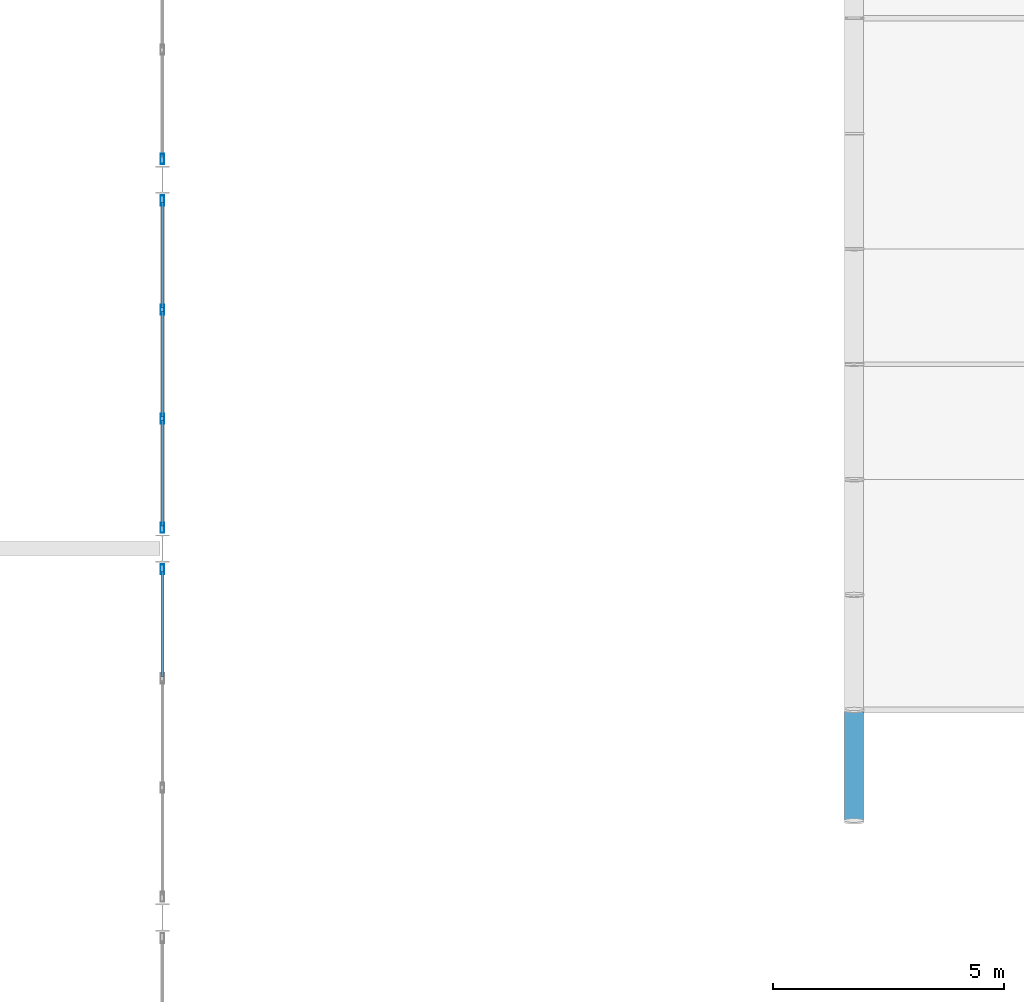
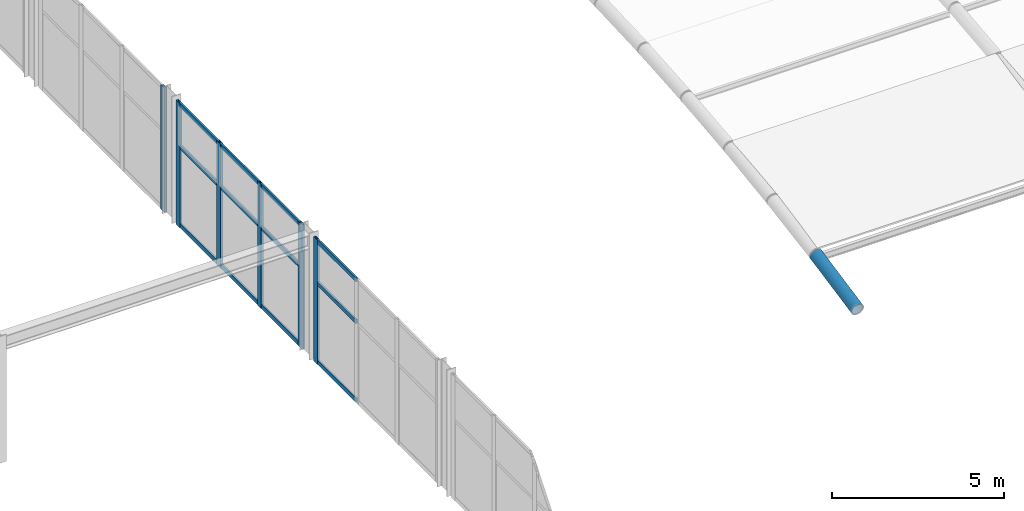
# One storey, part 41 of 105: 19 members, 3 elements without a shape of their own.
"""IFC4 building model written with IfcOpenShell, lengths in metres."""

from ifc_helpers import new_model, si_unit, direction, frame, origin, origin_2d, place, context, subcontext, project, spatial, hollow_rectangle, hollow_circle, extrude, material, layer, layer_set, material_profile, profile_set, type_object, element, aggregate, save


model = new_model("IFC4")

# Units and contexts
model_context = context("Model", 3, precision=1e-05, world=origin(), true_north=direction((0.0, 1.0)))
body_context = subcontext(model_context, "Body", "Model", "MODEL_VIEW")
ifc_project = project(units=[si_unit("LENGTHUNIT", "METRE"), si_unit("AREAUNIT", "SQUARE_METRE"), si_unit("VOLUMEUNIT", "CUBIC_METRE"), si_unit("PLANEANGLEUNIT", "RADIAN"), si_unit("MASSUNIT", "GRAM", prefix="KILO")], contexts=[model_context])

# Site, building, storey
site_placement = place(None, origin())
site = spatial("IfcSite", under=ifc_project, at=site_placement, CompositionType="ELEMENT")
building_placement = place(site_placement, origin())
building = spatial("IfcBuilding", under=site, at=building_placement, Name="Marlcrest Central Station", CompositionType="ELEMENT")
storey_placement = place(building_placement, frame((0.0, 0.0, 15.0)))
storey = spatial("IfcBuildingStorey", under=building, at=storey_placement, Name="L03", CompositionType="ELEMENT", Elevation=15.0)

# Member
ifc_material_1 = material(Name="Steel S355", Category="steel")
ifc_material_profile_1 = material_profile(ifc_material_1, hollow_circle(Radius=0.203125, WallThickness=0.02001953125, at=origin_2d()), Name="CHS 406.4x20")
ifc_profile_set_1 = profile_set([ifc_material_profile_1], Name="Steel S355")
member_type_1 = type_object("IfcMemberType", Name="AC-01", PredefinedType="CHORD", material=ifc_profile_set_1)
member_1_placement = place(storey_placement, frame((144.0, 48.580078125, -0.0830078125), z_axis=(0.0, 0.980359417961, 0.197219196874), x_axis=(-1.0, 0.0, 0.0)))
element("IfcMember", 1, at=member_1_placement, inside=storey, type_object=member_type_1, Name="mem-AC-01-L03-01112", PredefinedType="CHORD", context=body_context, shape_type="SweptSolid", body=[
    extrude(hollow_circle(Radius=0.203125, WallThickness=0.02001953125, at=origin_2d()), origin(), (0.0, 0.0, 1.0), 2.468505859375),
])

# Curtain wall, member
ifc_material_2 = material(Name="Anodised aluminium and hurricane laminated glass", Category="aluminium")
ifc_layer = layer(ifc_material_2, 0.219970703125, Name="CW-U1")
ifc_layer_set = layer_set([ifc_layer], Name="Anodised aluminium and hurricane laminated glass")
curtain_wall_type = type_object("IfcCurtainWallType", Name="CW-U1", PredefinedType="USERDEFINED", material=ifc_layer_set)
curtain_wall_1_placement = place(storey_placement, origin())
curtain_wall_1 = element("IfcCurtainWall", 2, at=curtain_wall_1_placement, inside=storey, type_object=curtain_wall_type, Name="cw-L03-0114", ObjectType="UNITISED_CURTAIN_WALL", PredefinedType="USERDEFINED")
ifc_material_3 = material(Name="Anodised aluminium 6063-T6", Category="aluminium")
ifc_material_profile_2 = material_profile(ifc_material_3, hollow_rectangle(XDim=0.080078125, YDim=0.219970703125, WallThickness=0.006103515625, at=origin_2d()), Name="AA-RHS 220x80x6")
ifc_profile_set_2 = profile_set([ifc_material_profile_2], Name="Anodised aluminium 6063-T6")
member_type_2 = type_object("IfcMemberType", Name="ML-01", PredefinedType="MULLION", material=ifc_profile_set_2)
member_2_placement = place(storey_placement, frame((129.0, 54.050048828125, -0.030029296875), z_axis=(0.0, 0.0, 1.0), x_axis=(1.0, 0.0, 0.0)))
member_2 = element("IfcMember", 3, at=member_2_placement, type_object=member_type_2, Name="cw-L03-0114-ml-0", PredefinedType="MULLION", context=body_context, shape_type="SweptSolid", body=[
    extrude(hollow_rectangle(XDim=0.080078125, YDim=0.219970703125, WallThickness=0.006103515625, at=origin_2d()), origin(), (0.0, 0.0, 1.0), 4.409912109375),
])

# Curtain wall, members
curtain_wall_2_placement = place(storey_placement, origin())
curtain_wall_2 = element("IfcCurtainWall", 4, at=curtain_wall_2_placement, inside=storey, type_object=curtain_wall_type, Name="cw-L03-0118", ObjectType="UNITISED_CURTAIN_WALL", PredefinedType="USERDEFINED")
member_3_placement = place(storey_placement, frame((129.0, 62.050048828125, -0.030029296875), z_axis=(0.0, 0.0, 1.0), x_axis=(1.0, 0.0, 0.0)))
member_3 = element("IfcMember", 5, at=member_3_placement, type_object=member_type_2, Name="cw-L03-0118-ml-0", PredefinedType="MULLION", context=body_context, shape_type="SweptSolid", body=[
    extrude(hollow_rectangle(XDim=0.080078125, YDim=0.219970703125, WallThickness=0.006103515625, at=origin_2d()), origin(), (0.0, 0.0, 1.0), 4.409912109375),
])
member_4_placement = place(storey_placement, frame((129.0, 59.683349609375, -0.030029296875), z_axis=(0.0, 0.0, 1.0), x_axis=(1.0, 0.0, 0.0)))
member_4 = element("IfcMember", 6, at=member_4_placement, type_object=member_type_2, Name="cw-L03-0118-ml-1", PredefinedType="MULLION", context=body_context, shape_type="SweptSolid", body=[
    extrude(hollow_rectangle(XDim=0.080078125, YDim=0.219970703125, WallThickness=0.006103515625, at=origin_2d()), origin(), (0.0, 0.0, 1.0), 4.409912109375),
])
member_5_placement = place(storey_placement, frame((129.0, 57.316650390625, -0.030029296875), z_axis=(0.0, 0.0, 1.0), x_axis=(1.0, 0.0, 0.0)))
member_5 = element("IfcMember", 7, at=member_5_placement, type_object=member_type_2, Name="cw-L03-0118-ml-2", PredefinedType="MULLION", context=body_context, shape_type="SweptSolid", body=[
    extrude(hollow_rectangle(XDim=0.080078125, YDim=0.219970703125, WallThickness=0.006103515625, at=origin_2d()), origin(), (0.0, 0.0, 1.0), 4.409912109375),
])
member_6_placement = place(storey_placement, frame((129.0, 54.949951171875, -0.030029296875), z_axis=(0.0, 0.0, 1.0), x_axis=(1.0, 0.0, 0.0)))
member_6 = element("IfcMember", 8, at=member_6_placement, type_object=member_type_2, Name="cw-L03-0118-ml-3", PredefinedType="MULLION", context=body_context, shape_type="SweptSolid", body=[
    extrude(hollow_rectangle(XDim=0.080078125, YDim=0.219970703125, WallThickness=0.006103515625, at=origin_2d()), origin(), (0.0, 0.0, 1.0), 4.409912109375),
])

# Curtain wall, member
curtain_wall_3_placement = place(storey_placement, origin())
curtain_wall_3 = element("IfcCurtainWall", 9, at=curtain_wall_3_placement, inside=storey, type_object=curtain_wall_type, Name="cw-L03-0122", ObjectType="UNITISED_CURTAIN_WALL", PredefinedType="USERDEFINED")
member_7_placement = place(storey_placement, frame((129.0, 62.949951171875, -0.030029296875), z_axis=(0.0, 0.0, 1.0), x_axis=(1.0, 0.0, 0.0)))
member_7 = element("IfcMember", 10, at=member_7_placement, type_object=member_type_2, Name="cw-L03-0122-ml-3", PredefinedType="MULLION", context=body_context, shape_type="SweptSolid", body=[
    extrude(hollow_rectangle(XDim=0.080078125, YDim=0.219970703125, WallThickness=0.006103515625, at=origin_2d()), origin(), (0.0, 0.0, 1.0), 4.409912109375),
])
aggregate(curtain_wall_3, [member_7])

# Member
ifc_material_profile_3 = material_profile(ifc_material_3, hollow_rectangle(XDim=0.06005859375, YDim=0.14990234375, WallThickness=0.00390625, at=origin_2d()), Name="AA-RHS 150x60x4")
ifc_profile_set_3 = profile_set([ifc_material_profile_3], Name="Anodised aluminium 6063-T6")
member_type_3 = type_object("IfcMemberType", Name="TR-01", PredefinedType="USERDEFINED", material=ifc_profile_set_3)
member_8_placement = place(storey_placement, frame((129.0, 54.011962890625, 0.0400390625), z_axis=(0.0, -1.0, 0.0), x_axis=(1.0, 0.0, 0.0)))
member_8 = element("IfcMember", 11, at=member_8_placement, type_object=member_type_3, Name="cw-L03-0114-tr-0-sill", ObjectType="TRANSOM", PredefinedType="USERDEFINED", context=body_context, shape_type="SweptSolid", body=[
    extrude(hollow_rectangle(XDim=0.06005859375, YDim=0.14990234375, WallThickness=0.00390625, at=origin_2d()), origin(), (0.0, 0.0, 1.0), 2.290771484375),
])

member_9_placement = place(storey_placement, frame((129.0, 54.011962890625, 2.827880859375), z_axis=(0.0, -1.0, 0.0), x_axis=(1.0, 0.0, 0.0)))
member_9 = element("IfcMember", 12, at=member_9_placement, type_object=member_type_3, Name="cw-L03-0114-tr-0-mid", ObjectType="TRANSOM", PredefinedType="USERDEFINED", context=body_context, shape_type="SweptSolid", body=[
    extrude(hollow_rectangle(XDim=0.06005859375, YDim=0.14990234375, WallThickness=0.00390625, at=origin_2d()), origin(), (0.0, 0.0, 1.0), 2.290771484375),
])

member_10_placement = place(storey_placement, frame((129.0, 54.011962890625, 4.31005859375), z_axis=(0.0, -1.0, 0.0), x_axis=(1.0, 0.0, 0.0)))
member_10 = element("IfcMember", 13, at=member_10_placement, type_object=member_type_3, Name="cw-L03-0114-tr-0-head", ObjectType="TRANSOM", PredefinedType="USERDEFINED", context=body_context, shape_type="SweptSolid", body=[
    extrude(hollow_rectangle(XDim=0.06005859375, YDim=0.14990234375, WallThickness=0.00390625, at=origin_2d()), origin(), (0.0, 0.0, 1.0), 2.290771484375),
])

aggregate(curtain_wall_1, [member_2, member_8, member_9, member_10])

member_11_placement = place(storey_placement, frame((129.0, 62.011962890625, 0.0400390625), z_axis=(0.0, -1.0, 0.0), x_axis=(1.0, 0.0, 0.0)))
member_11 = element("IfcMember", 14, at=member_11_placement, type_object=member_type_3, Name="cw-L03-0118-tr-0-sill", ObjectType="TRANSOM", PredefinedType="USERDEFINED", context=body_context, shape_type="SweptSolid", body=[
    extrude(hollow_rectangle(XDim=0.06005859375, YDim=0.14990234375, WallThickness=0.00390625, at=origin_2d()), origin(), (0.0, 0.0, 1.0), 2.290771484375),
])

member_12_placement = place(storey_placement, frame((129.0, 62.011962890625, 2.827880859375), z_axis=(0.0, -1.0, 0.0), x_axis=(1.0, 0.0, 0.0)))
member_12 = element("IfcMember", 15, at=member_12_placement, type_object=member_type_3, Name="cw-L03-0118-tr-0-mid", ObjectType="TRANSOM", PredefinedType="USERDEFINED", context=body_context, shape_type="SweptSolid", body=[
    extrude(hollow_rectangle(XDim=0.06005859375, YDim=0.14990234375, WallThickness=0.00390625, at=origin_2d()), origin(), (0.0, 0.0, 1.0), 2.290771484375),
])

member_13_placement = place(storey_placement, frame((129.0, 62.011962890625, 4.31005859375), z_axis=(0.0, -1.0, 0.0), x_axis=(1.0, 0.0, 0.0)))
member_13 = element("IfcMember", 16, at=member_13_placement, type_object=member_type_3, Name="cw-L03-0118-tr-0-head", ObjectType="TRANSOM", PredefinedType="USERDEFINED", context=body_context, shape_type="SweptSolid", body=[
    extrude(hollow_rectangle(XDim=0.06005859375, YDim=0.14990234375, WallThickness=0.00390625, at=origin_2d()), origin(), (0.0, 0.0, 1.0), 2.290771484375),
])

member_14_placement = place(storey_placement, frame((129.0, 59.645263671875, 0.0400390625), z_axis=(0.0, -1.0, 0.0), x_axis=(1.0, 0.0, 0.0)))
member_14 = element("IfcMember", 17, at=member_14_placement, type_object=member_type_3, Name="cw-L03-0118-tr-1-sill", ObjectType="TRANSOM", PredefinedType="USERDEFINED", context=body_context, shape_type="SweptSolid", body=[
    extrude(hollow_rectangle(XDim=0.06005859375, YDim=0.14990234375, WallThickness=0.00390625, at=origin_2d()), origin(), (0.0, 0.0, 1.0), 2.29052734375),
])

member_15_placement = place(storey_placement, frame((129.0, 59.645263671875, 2.827880859375), z_axis=(0.0, -1.0, 0.0), x_axis=(1.0, 0.0, 0.0)))
member_15 = element("IfcMember", 18, at=member_15_placement, type_object=member_type_3, Name="cw-L03-0118-tr-1-mid", ObjectType="TRANSOM", PredefinedType="USERDEFINED", context=body_context, shape_type="SweptSolid", body=[
    extrude(hollow_rectangle(XDim=0.06005859375, YDim=0.14990234375, WallThickness=0.00390625, at=origin_2d()), origin(), (0.0, 0.0, 1.0), 2.29052734375),
])

member_16_placement = place(storey_placement, frame((129.0, 59.645263671875, 4.31005859375), z_axis=(0.0, -1.0, 0.0), x_axis=(1.0, 0.0, 0.0)))
member_16 = element("IfcMember", 19, at=member_16_placement, type_object=member_type_3, Name="cw-L03-0118-tr-1-head", ObjectType="TRANSOM", PredefinedType="USERDEFINED", context=body_context, shape_type="SweptSolid", body=[
    extrude(hollow_rectangle(XDim=0.06005859375, YDim=0.14990234375, WallThickness=0.00390625, at=origin_2d()), origin(), (0.0, 0.0, 1.0), 2.29052734375),
])

member_17_placement = place(storey_placement, frame((129.0, 57.27880859375, 0.0400390625), z_axis=(0.0, -1.0, 0.0), x_axis=(1.0, 0.0, 0.0)))
member_17 = element("IfcMember", 20, at=member_17_placement, type_object=member_type_3, Name="cw-L03-0118-tr-2-sill", ObjectType="TRANSOM", PredefinedType="USERDEFINED", context=body_context, shape_type="SweptSolid", body=[
    extrude(hollow_rectangle(XDim=0.06005859375, YDim=0.14990234375, WallThickness=0.00390625, at=origin_2d()), origin(), (0.0, 0.0, 1.0), 2.290771484375),
])

member_18_placement = place(storey_placement, frame((129.0, 57.27880859375, 2.827880859375), z_axis=(0.0, -1.0, 0.0), x_axis=(1.0, 0.0, 0.0)))
member_18 = element("IfcMember", 21, at=member_18_placement, type_object=member_type_3, Name="cw-L03-0118-tr-2-mid", ObjectType="TRANSOM", PredefinedType="USERDEFINED", context=body_context, shape_type="SweptSolid", body=[
    extrude(hollow_rectangle(XDim=0.06005859375, YDim=0.14990234375, WallThickness=0.00390625, at=origin_2d()), origin(), (0.0, 0.0, 1.0), 2.290771484375),
])

member_19_placement = place(storey_placement, frame((129.0, 57.27880859375, 4.31005859375), z_axis=(0.0, -1.0, 0.0), x_axis=(1.0, 0.0, 0.0)))
member_19 = element("IfcMember", 22, at=member_19_placement, type_object=member_type_3, Name="cw-L03-0118-tr-2-head", ObjectType="TRANSOM", PredefinedType="USERDEFINED", context=body_context, shape_type="SweptSolid", body=[
    extrude(hollow_rectangle(XDim=0.06005859375, YDim=0.14990234375, WallThickness=0.00390625, at=origin_2d()), origin(), (0.0, 0.0, 1.0), 2.290771484375),
])

aggregate(curtain_wall_2, [member_3, member_4, member_5, member_6, member_11, member_12, member_13, member_14, member_15, member_16, member_17, member_18, member_19])

save(model, "model.ifc")
